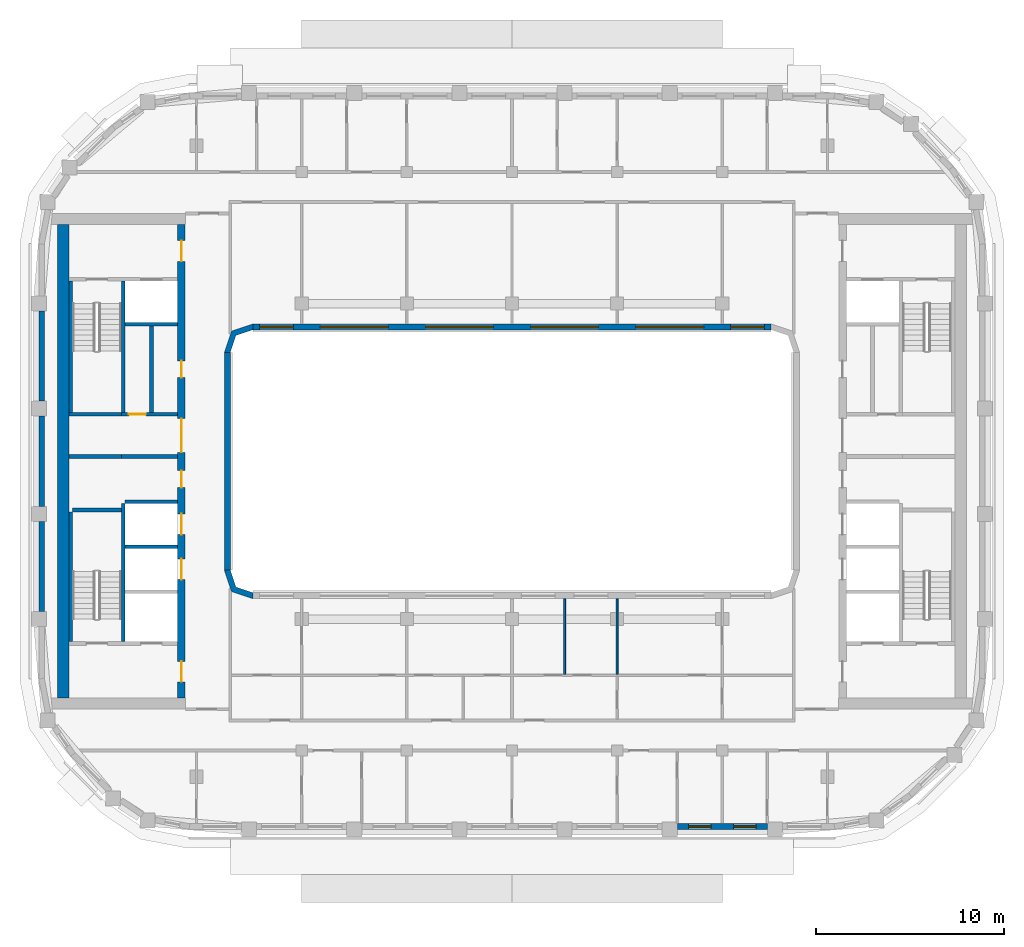
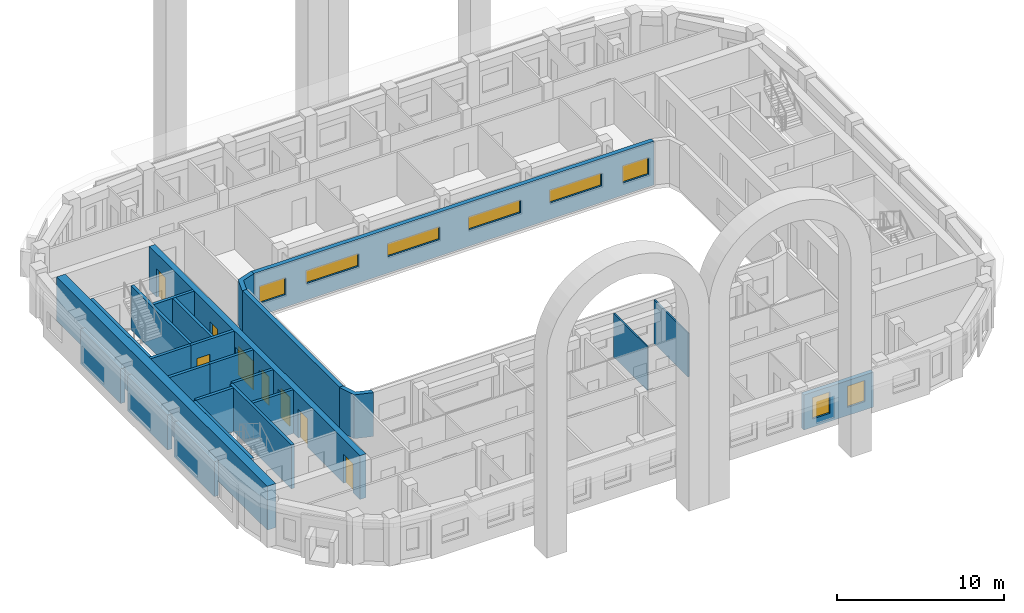
# One storey, part 4 of 18: 25 walls, 8 doors, 8 windows, 16 openings.
"""IFC4 building model written with IfcOpenShell, lengths in metres."""

import ifcopenshell
import ifcopenshell.guid

model = None  # the IFC model being written
_history = None  # IfcOwnerHistory: only IFC2X3 demands one
_inside = {}  # id of a spatial element -> (the spatial element, [elements in it])
_under = {}  # id of a project, library or spatial element -> (it, [spatial elements below it])
_declared = {}  # id of a project -> (the project, [libraries it declares])
_typed = {}  # id of a type object -> (the type object, [elements of that type])
_made_of = {}  # id of a material, layer set ... -> (it, [elements and type objects made of it])


def new_model(schema):
    """Start an empty IFC model of exactly this schema.

    Asked for "IFC4X3", IfcOpenShell would pick the latest addendum, in which some entities
    have other attributes; the version numbers below select the first issue.
    IFC2X3 requires an IfcOwnerHistory on every rooted entity: one is made here for all.
    """
    global model, _history
    if schema == "IFC4X3":
        model = ifcopenshell.file(schema_version=(4, 3, 0, 0))
    else:
        model = ifcopenshell.file(schema=schema)
    _inside.clear()
    _under.clear()
    _declared.clear()
    _typed.clear()
    _made_of.clear()
    _history = None
    if model.schema == "IFC2X3":
        org = make("IfcOrganization", Name="unknown")
        user = make(
            "IfcPersonAndOrganization",
            ThePerson=make("IfcPerson", FamilyName="unknown"),
            TheOrganization=org,
        )
        app = make(
            "IfcApplication",
            ApplicationDeveloper=org,
            Version="unknown",
            ApplicationFullName="unknown",
            ApplicationIdentifier="unknown",
        )
        _history = make(
            "IfcOwnerHistory",
            OwningUser=user,
            OwningApplication=app,
            ChangeAction="ADDED",
            CreationDate=0,
        )
    return model


def make(cls, **values):
    """One entity of the class cls with the attributes given. An attribute that is None is left unset."""
    return model.create_entity(
        cls, **{name: value for name, value in values.items() if value is not None}
    )


def rooted(cls, **values):
    """An entity with a GlobalId (a new one), such as an element, a storey or a relation."""
    return make(cls, GlobalId=ifcopenshell.guid.new(), OwnerHistory=_history, **values)


def si_unit(unit_type, name, prefix=None):
    """IfcSIUnit, for example si_unit("LENGTHUNIT", "METRE", prefix="MILLI")."""
    return make("IfcSIUnit", UnitType=unit_type, Prefix=prefix, Name=name)


def assignment(units):
    """IfcUnitAssignment: the units of a project."""
    return None if units is None else make("IfcUnitAssignment", Units=units)


def point(xyz):
    """IfcCartesianPoint."""
    return None if xyz is None else make("IfcCartesianPoint", Coordinates=xyz)


def direction(xyz):
    """IfcDirection."""
    return None if xyz is None else make("IfcDirection", DirectionRatios=xyz)


def frame(location, z_axis=None, x_axis=None):
    """IfcAxis2Placement3D, a coordinate frame: its origin and axes. An axis left out is left unset."""
    return make(
        "IfcAxis2Placement3D",
        Location=point(location),
        Axis=direction(z_axis),
        RefDirection=direction(x_axis),
    )


def frame_2d(location, x_axis=None):
    """IfcAxis2Placement2D, a coordinate frame in the plane: its origin and x axis."""
    return make(
        "IfcAxis2Placement2D", Location=point(location), RefDirection=direction(x_axis)
    )


def origin():
    """The frame at (0, 0, 0) with its axes left unset."""
    return frame((0.0, 0.0, 0.0))


def place(relative_to, where):
    """IfcLocalPlacement: puts the frame where relative to a parent placement (None: the world)."""
    return make(
        "IfcLocalPlacement", PlacementRelTo=relative_to, RelativePlacement=where
    )


def context(
    kind, dimensions, precision=None, world=None, true_north=None, identifier=None
):
    """IfcGeometricRepresentationContext, for example the 3D "Model" context."""
    return make(
        "IfcGeometricRepresentationContext",
        ContextIdentifier=identifier,
        ContextType=kind,
        CoordinateSpaceDimension=dimensions,
        Precision=precision,
        WorldCoordinateSystem=world,
        TrueNorth=true_north,
    )


def subcontext(parent, identifier, kind, view, scale=None):
    """IfcGeometricRepresentationSubContext, for example "Body" below "Model"."""
    return make(
        "IfcGeometricRepresentationSubContext",
        ContextIdentifier=identifier,
        ContextType=kind,
        ParentContext=parent,
        TargetScale=scale,
        TargetView=view,
    )


def project(units=None, contexts=None):
    """IfcProject with its units and contexts."""
    return rooted(
        "IfcProject",
        Name="project",
        RepresentationContexts=contexts,
        UnitsInContext=assignment(units),
    )


def spatial(cls, under=None, at=None, **own):
    """A site, building, storey or space (cls), placed at a placement, below another one or the project."""
    s = rooted(cls, ObjectPlacement=at, **own)
    if under is not None:
        _under.setdefault(under.id(), (under, []))[1].append(s)
    return s


def polyline(points):
    """IfcPolyline through the points."""
    return make("IfcPolyline", Points=[point(p) for p in points])


def profile(cls, at=None, kind="AREA", **sizes):
    """A parametric profile (cls). Its sizes go by their IFC names, for example OverallWidth=200.0."""
    return make(cls, ProfileType=kind, Position=at, **sizes)


def rectangle(**sizes):
    """IfcRectangleProfileDef."""
    return profile("IfcRectangleProfileDef", **sizes)


def outline(outer, holes=None, kind="AREA"):
    """IfcArbitraryClosedProfileDef: a profile drawn as a closed curve; with holes, ...WithVoids."""
    if holes is None:
        return make("IfcArbitraryClosedProfileDef", ProfileType=kind, OuterCurve=outer)
    return make(
        "IfcArbitraryProfileDefWithVoids",
        ProfileType=kind,
        OuterCurve=outer,
        InnerCurves=holes,
    )


def extrude(swept, where, along, depth):
    """IfcExtrudedAreaSolid: the profile swept, set in the frame where, extruded along a direction by depth."""
    return make(
        "IfcExtrudedAreaSolid",
        SweptArea=swept,
        Position=where,
        ExtrudedDirection=direction(along),
        Depth=depth,
    )


def shape(context_of_items, identifier, shape_type, items):
    """IfcShapeRepresentation: the items that make up one representation, for example the "Body"."""
    return make(
        "IfcShapeRepresentation",
        ContextOfItems=context_of_items,
        RepresentationIdentifier=identifier,
        RepresentationType=shape_type,
        Items=items,
    )


def material(Name=None, Category=None):
    """IfcMaterial."""
    return make("IfcMaterial", Name=Name, Category=Category)


def layer(
    of_material, thickness, ventilated=None, Name=None, Category=None, Priority=None
):
    """IfcMaterialLayer: one layer of a wall or slab, of a material (None: an air gap)."""
    return make(
        "IfcMaterialLayer",
        Material=of_material,
        LayerThickness=thickness,
        IsVentilated=ventilated,
        Name=Name,
        Category=Category,
        Priority=Priority,
    )


def layer_set(layers, Name=None):
    """IfcMaterialLayerSet."""
    return make("IfcMaterialLayerSet", MaterialLayers=layers, LayerSetName=Name)


def made_of(thing, what):
    """Note that an element or type object is made of a material, layer set ...; save() writes the relation."""
    if what is not None:
        _made_of.setdefault(what.id(), (what, []))[1].append(thing)
    return thing


def type_object(cls, material=None, **own):
    """A type object (cls), such as IfcWallType, which elements share."""
    return made_of(rooted(cls, **own), material)


def element(
    cls,
    number,
    at=None,
    inside=None,
    cuts=None,
    type_object=None,
    material=None,
    context=None,
    identifier="Body",
    shape_type=None,
    held_by="IfcProductDefinitionShape",
    body=None,
    shapes=None,
    **own,
):
    """One element of the class cls, such as IfcWall. Its Tag is "e" and its number.

    at: its placement. inside: the storey or other place that contains it. cuts: it is an
    opening in that element (IfcRelVoidsElement). A single representation is given by context,
    identifier, shape_type and body (its items); several are given by shapes. held_by: the class
    of the entity that holds the representations. save() writes the other relations.
    """
    e = rooted(cls, Tag="e%d" % number, ObjectPlacement=at, **own)
    if body is not None:
        shapes = [shape(context, identifier, shape_type, body)]
    if shapes is not None:
        e.Representation = make(held_by, Representations=shapes)
    if inside is not None:
        _inside.setdefault(inside.id(), (inside, []))[1].append(e)
    if cuts is not None:
        rooted(
            "IfcRelVoidsElement", RelatingBuildingElement=cuts, RelatedOpeningElement=e
        )
    if type_object is not None:
        _typed.setdefault(type_object.id(), (type_object, []))[1].append(e)
    return made_of(e, material)


def fill(opening, filler):
    """IfcRelFillsElement: the door or window that sits in an opening."""
    return rooted(
        "IfcRelFillsElement",
        RelatingOpeningElement=opening,
        RelatedBuildingElement=filler,
    )


def aggregate(whole, parts):
    """IfcRelAggregates: a whole, such as a stair, and the parts it consists of."""
    return rooted("IfcRelAggregates", RelatingObject=whole, RelatedObjects=parts)


def save(model, path):
    """Write the relations noted so far, then the file.

    IfcRelAggregates (storeys below a building ...), IfcRelContainedInSpatialStructure (elements
    in a storey), IfcRelDefinesByType, IfcRelAssociatesMaterial and IfcRelDeclares: one each for
    every whole, place, type object, material and project.
    """
    for whole, parts in _under.values():
        aggregate(whole, parts)
    for where, things in _inside.values():
        rooted(
            "IfcRelContainedInSpatialStructure",
            RelatedElements=things,
            RelatingStructure=where,
        )
    for kind, things in _typed.values():
        rooted("IfcRelDefinesByType", RelatedObjects=things, RelatingType=kind)
    for what, things in _made_of.values():
        rooted("IfcRelAssociatesMaterial", RelatedObjects=things, RelatingMaterial=what)
    for by, libraries in _declared.values():
        rooted("IfcRelDeclares", RelatingContext=by, RelatedDefinitions=libraries)
    model.write(path)


model = new_model("IFC4")

# Units and contexts
model_context = context("Model", 3, precision=1e-05, world=origin(), true_north=direction((0.0, 1.0)))
body_context = subcontext(model_context, "Body", "Model", "MODEL_VIEW")
ifc_project = project(units=[si_unit("LENGTHUNIT", "METRE"), si_unit("AREAUNIT", "SQUARE_METRE"), si_unit("VOLUMEUNIT", "CUBIC_METRE"), si_unit("PLANEANGLEUNIT", "RADIAN"), si_unit("MASSUNIT", "GRAM", prefix="KILO")], contexts=[model_context])

# Site, building, storey
site_placement = place(None, origin())
site = spatial("IfcSite", under=ifc_project, at=site_placement, CompositionType="ELEMENT")
building_placement = place(site_placement, origin())
building = spatial("IfcBuilding", under=site, at=building_placement, Name="Kiln Ring Residences", CompositionType="ELEMENT")
storey_placement = place(building_placement, frame((0.0, 0.0, 262.699951171875)))
storey = spatial("IfcBuildingStorey", under=building, at=storey_placement, Name="L68", CompositionType="ELEMENT", Elevation=262.699951171875)

# Walls
ifc_material_1 = material(Name="Gypsum board on steel studs", Category="steel")
ifc_layer_1 = layer(ifc_material_1, 0.199951171875)
ifc_layer_set_1 = layer_set([ifc_layer_1], Name="CORE-PARTITION-200")
wall_type_1 = type_object("IfcWallType", Name="CORE-PARTITION-200", PredefinedType="PARTITIONING", material=ifc_layer_set_1)
wall_1_placement = place(storey_placement, frame((-20.800048828125, 0.25, 0.0), z_axis=(0.0, 0.0, 1.0), x_axis=(-1.0, 0.0, 0.0)))
element("IfcWall", 1, at=wall_1_placement, inside=storey, type_object=wall_type_1, Name="Core partition west L68 1", PredefinedType="PARTITIONING", context=body_context, shape_type="SweptSolid", body=[
    extrude(rectangle(XDim=2.800048828125, YDim=0.199951171875, at=frame_2d((1.39990234375, 0.0))), origin(), (0.0, 0.0, 1.0), 3.199951171875),
])
wall_2_placement = place(storey_placement, frame((-19.199951171875, 2.60009765625, 0.0), z_axis=(0.0, 0.0, 1.0), x_axis=(0.0, 1.0, 0.0)))
element("IfcWall", 2, at=wall_2_placement, inside=storey, type_object=wall_type_1, Name="Core partition west L68 2", PredefinedType="PARTITIONING", context=body_context, shape_type="SweptSolid", body=[
    extrude(rectangle(XDim=4.599853515625, YDim=0.199951171875, at=frame_2d((2.2998046875, 0.0))), origin(), (0.0, 0.0, 1.0), 3.199951171875),
])
ifc_material_2 = material(Name="Gypsum shaft wall system")
ifc_layer_2 = layer(ifc_material_2, 0.199951171875)
ifc_layer_set_2 = layer_set([ifc_layer_2], Name="CORE-SHAFT-WALL-200")
wall_type_2 = type_object("IfcWallType", Name="CORE-SHAFT-WALL-200", PredefinedType="PARTITIONING", material=ifc_layer_set_2)
for number, where, z_axis, x_axis, name in (
    (3, (-17.800048828125, -4.550048828125, 0.0), (0.0, 0.0, 1.0), (-1.0, 0.0, 0.0), "Core partition west L68 4"),
    (4, (-17.800048828125, -2.14990234375, 0.0), (0.0, 0.0, 1.0), (-1.0, 0.0, 0.0), "Core partition west L68 5"),
):
    element("IfcWall", number, at=place(storey_placement, frame(where, z_axis=z_axis, x_axis=x_axis)), inside=storey, type_object=wall_type_2, Name=name, PredefinedType="PARTITIONING", context=body_context, shape_type="SweptSolid", body=[
        extrude(rectangle(XDim=2.800048828125, YDim=0.199951171875, at=frame_2d((1.39990234375, 0.0))), origin(), (0.0, 0.0, 1.0), 3.199951171875),
    ])
wall_3_placement = place(storey_placement, frame((-17.800048828125, 0.25, 0.0), z_axis=(0.0, 0.0, 1.0), x_axis=(-1.0, 0.0, 0.0)))
element("IfcWall", 5, at=wall_3_placement, inside=storey, type_object=wall_type_2, Name="Core partition west L68 6", PredefinedType="PARTITIONING", context=body_context, shape_type="SweptSolid", body=[
    extrude(rectangle(XDim=3.0, YDim=0.199951171875, at=frame_2d((1.5, 0.0))), origin(), (0.0, 0.0, 1.0), 3.199951171875),
])

# Wall, opening, door
wall_4_placement = place(storey_placement, frame((-17.800048828125, 2.5, 0.0), z_axis=(0.0, 0.0, 1.0), x_axis=(-1.0, 0.0, 0.0)))
wall_4 = element("IfcWall", 6, at=wall_4_placement, inside=storey, type_object=wall_type_2, Name="Core partition west L68 7", PredefinedType="PARTITIONING", context=body_context, shape_type="SweptSolid", body=[
    extrude(rectangle(XDim=3.0, YDim=0.199951171875, at=frame_2d((1.5, 0.0))), origin(), (0.0, 0.0, 1.0), 3.199951171875),
])
opening_1_placement = place(wall_4_placement, frame((1.699951171875, 0.0, 0.0)))
opening_1 = element("IfcOpeningElement", 7, at=opening_1_placement, cuts=wall_4, Name="Opening L68-CW06", PredefinedType="OPENING", context=body_context, shape_type="SweptSolid", body=[
    extrude(rectangle(XDim=0.89990234375, YDim=2.10009765625, at=frame_2d((0.449951171875, 1.050048828125))), frame((0.0, 0.10986328125, 0.0), z_axis=(0.0, -1.0, 0.0), x_axis=(1.0, 0.0, 0.0)), (0.0, 0.0, 1.0), 0.219970703125),
])
ifc_material_3 = material(Name="Steel door leaf", Category="steel")
door_type_1 = type_object("IfcDoorType", Name="CORE-DOOR-ROOM", OperationType="SINGLE_SWING_LEFT", PredefinedType="DOOR", material=ifc_material_3)
door_1_placement = place(opening_1_placement, origin())
door_1 = element("IfcDoor", 8, at=door_1_placement, inside=storey, type_object=door_type_1, Name="Service store L68-CW06", OperationType="SINGLE_SWING_LEFT", OverallHeight=2.10009765625, OverallWidth=0.89990234375, PredefinedType="DOOR", context=body_context, shape_type="SweptSolid", body=[
    extrude(rectangle(XDim=0.89990234375, YDim=2.10009765625, at=frame_2d((0.449951171875, 1.050048828125))), frame((0.0, 0.02490234375, 0.0), z_axis=(0.0, -1.0, 0.0), x_axis=(1.0, 0.0, 0.0)), (0.0, 0.0, 1.0), 0.050048828125),
])
fill(opening_1, door_1)

# Walls
wall_5_placement = place(storey_placement, frame((-17.800048828125, 7.300048828125, 0.0), z_axis=(0.0, 0.0, 1.0), x_axis=(-1.0, 0.0, 0.0)))
element("IfcWall", 9, at=wall_5_placement, inside=storey, type_object=wall_type_2, Name="Core partition west L68 8", PredefinedType="PARTITIONING", context=body_context, shape_type="SweptSolid", body=[
    extrude(rectangle(XDim=2.800048828125, YDim=0.199951171875, at=frame_2d((1.39990234375, 0.0))), origin(), (0.0, 0.0, 1.0), 3.199951171875),
])
ifc_material_4 = material(Name="Concrete C40/50", Category="concrete")
ifc_layer_3 = layer(ifc_material_4, 0.199951171875)
ifc_layer_set_3 = layer_set([ifc_layer_3], Name="CORE-WALL-RC200")
wall_type_3 = type_object("IfcWallType", Name="CORE-WALL-RC200", PredefinedType="SHEAR", material=ifc_layer_set_3)
wall_6_placement = place(storey_placement, frame((-20.699951171875, 2.60009765625, 0.0), z_axis=(0.0, 0.0, 1.0), x_axis=(0.0, 1.0, 0.0)))
element("IfcWall", 10, at=wall_6_placement, inside=storey, type_object=wall_type_3, Name="Core wall west L68 1", PredefinedType="SHEAR", context=body_context, shape_type="SweptSolid", body=[
    extrude(rectangle(XDim=7.0, YDim=0.199951171875, at=frame_2d((3.5, 0.0))), origin(), (0.0, 0.0, 1.0), 3.199951171875),
])
wall_7_placement = place(storey_placement, frame((-20.699951171875, -9.60009765625, 0.0), z_axis=(0.0, 0.0, 1.0), x_axis=(0.0, 1.0, 0.0)))
element("IfcWall", 11, at=wall_7_placement, inside=storey, type_object=wall_type_3, Name="Core wall west L68 2", PredefinedType="SHEAR", context=body_context, shape_type="SweptSolid", body=[
    extrude(rectangle(XDim=7.35009765625, YDim=0.199951171875, at=frame_2d((3.675048828125, 0.0))), origin(), (0.0, 0.0, 1.0), 3.199951171875),
])
wall_8_placement = place(storey_placement, frame((-20.800048828125, 2.5, 0.0), z_axis=(0.0, 0.0, 1.0), x_axis=(-1.0, 0.0, 0.0)))
element("IfcWall", 12, at=wall_8_placement, inside=storey, type_object=wall_type_3, Name="Core wall west L68 3", PredefinedType="SHEAR", context=body_context, shape_type="SweptSolid", body=[
    extrude(rectangle(XDim=2.800048828125, YDim=0.199951171875, at=frame_2d((1.39990234375, 0.0))), origin(), (0.0, 0.0, 1.0), 3.199951171875),
])
wall_9_placement = place(storey_placement, frame((-23.5, 2.60009765625, 0.0), z_axis=(0.0, 0.0, 1.0), x_axis=(0.0, 1.0, 0.0)))
element("IfcWall", 13, at=wall_9_placement, inside=storey, type_object=wall_type_3, Name="Core wall west L68 10", PredefinedType="SHEAR", context=body_context, shape_type="SweptSolid", body=[
    extrude(rectangle(XDim=7.0, YDim=0.199951171875, at=frame_2d((3.5, 0.0))), origin(), (0.0, 0.0, 1.0), 3.199951171875),
])
wall_10_placement = place(storey_placement, frame((-23.5, -9.60009765625, 0.0), z_axis=(0.0, 0.0, 1.0), x_axis=(0.0, 1.0, 0.0)))
element("IfcWall", 14, at=wall_10_placement, inside=storey, type_object=wall_type_3, Name="Core wall west L68 11", PredefinedType="SHEAR", context=body_context, shape_type="SweptSolid", body=[
    extrude(rectangle(XDim=6.900146484375, YDim=0.199951171875, at=frame_2d((3.4501953125, 0.0))), origin(), (0.0, 0.0, 1.0), 3.199951171875),
])
wall_11_placement = place(storey_placement, frame((-20.800048828125, -2.60009765625, 0.0), z_axis=(0.0, 0.0, 1.0), x_axis=(-1.0, 0.0, 0.0)))
element("IfcWall", 15, at=wall_11_placement, inside=storey, type_object=wall_type_3, Name="Core wall west L68 12", PredefinedType="SHEAR", context=body_context, shape_type="SweptSolid", body=[
    extrude(rectangle(XDim=2.599853515625, YDim=0.199951171875, at=frame_2d((1.2998046875, 0.0))), origin(), (0.0, 0.0, 1.0), 3.199951171875),
])

# Wall, openings, doors
ifc_material_5 = material(Name="Concrete C60/75", Category="concrete")
ifc_layer_4 = layer(ifc_material_5, 0.39990234375)
ifc_layer_set_4 = layer_set([ifc_layer_4], Name="CORE-WALL-RC400")
wall_type_4 = type_object("IfcWallType", Name="CORE-WALL-RC400", PredefinedType="SHEAR", material=ifc_layer_set_4)
wall_12_placement = place(storey_placement, frame((-17.60009765625, -12.60009765625, 0.0), z_axis=(0.0, 0.0, 1.0), x_axis=(0.0, 1.0, 0.0)))
wall_12 = element("IfcWall", 16, at=wall_12_placement, inside=storey, type_object=wall_type_4, Name="Core wall west L68 6", PredefinedType="SHEAR", context=body_context, shape_type="SweptSolid", body=[
    extrude(rectangle(XDim=25.2001953125, YDim=0.39990234375, at=frame_2d((12.60009765625, 0.0))), origin(), (0.0, 0.0, 1.0), 3.199951171875),
])
opening_2_placement = place(wall_12_placement, frame((6.300048828125, 0.0, 0.0)))
opening_2 = element("IfcOpeningElement", 17, at=opening_2_placement, cuts=wall_12, Name="Opening L68-CW02", PredefinedType="OPENING", context=body_context, shape_type="SweptSolid", body=[
    extrude(rectangle(XDim=1.10009765625, YDim=2.10009765625, at=frame_2d((0.550048828125, 1.050048828125))), frame((0.0, 0.2099609375, 0.0), z_axis=(0.0, -1.0, 0.0), x_axis=(1.0, 0.0, 0.0)), (0.0, 0.0, 1.0), 0.419921875),
])
opening_3_placement = place(wall_12_placement, frame((8.699951171875, 0.0, 0.0)))
opening_3 = element("IfcOpeningElement", 18, at=opening_3_placement, cuts=wall_12, Name="Opening L68-CW03", PredefinedType="OPENING", context=body_context, shape_type="SweptSolid", body=[
    extrude(rectangle(XDim=1.10009765625, YDim=2.10009765625, at=frame_2d((0.550048828125, 1.050048828125))), frame((0.0, 0.2099609375, 0.0), z_axis=(0.0, -1.0, 0.0), x_axis=(1.0, 0.0, 0.0)), (0.0, 0.0, 1.0), 0.419921875),
])
opening_4_placement = place(wall_12_placement, frame((11.199951171875, 0.0, 0.0)))
opening_4 = element("IfcOpeningElement", 19, at=opening_4_placement, cuts=wall_12, Name="Opening L68-CW04", PredefinedType="OPENING", context=body_context, shape_type="SweptSolid", body=[
    extrude(rectangle(XDim=0.89990234375, YDim=2.10009765625, at=frame_2d((0.449951171875, 1.050048828125))), frame((0.0, 0.2099609375, 0.0), z_axis=(0.0, -1.0, 0.0), x_axis=(1.0, 0.0, 0.0)), (0.0, 0.0, 1.0), 0.419921875),
])
opening_5_placement = place(wall_12_placement, frame((17.050048828125, 0.0, 0.0)))
opening_5 = element("IfcOpeningElement", 20, at=opening_5_placement, cuts=wall_12, Name="Opening L68-CW05", PredefinedType="OPENING", context=body_context, shape_type="SweptSolid", body=[
    extrude(rectangle(XDim=0.89990234375, YDim=2.10009765625, at=frame_2d((0.449951171875, 1.050048828125))), frame((0.0, 0.2099609375, 0.0), z_axis=(0.0, -1.0, 0.0), x_axis=(1.0, 0.0, 0.0)), (0.0, 0.0, 1.0), 0.419921875),
])
opening_6_placement = place(wall_12_placement, frame((23.25, 0.0, 0.0)))
opening_6 = element("IfcOpeningElement", 21, at=opening_6_placement, cuts=wall_12, Name="Opening L68-CW08", PredefinedType="OPENING", context=body_context, shape_type="SweptSolid", body=[
    extrude(rectangle(XDim=1.10009765625, YDim=2.10009765625, at=frame_2d((0.550048828125, 1.050048828125))), frame((0.0, 0.2099609375, 0.0), z_axis=(0.0, -1.0, 0.0), x_axis=(1.0, 0.0, 0.0)), (0.0, 0.0, 1.0), 0.419921875),
])
opening_7_placement = place(wall_12_placement, frame((0.85009765625, 0.0, 0.0)))
opening_7 = element("IfcOpeningElement", 22, at=opening_7_placement, cuts=wall_12, Name="Opening L68-CW09", PredefinedType="OPENING", context=body_context, shape_type="SweptSolid", body=[
    extrude(rectangle(XDim=1.10009765625, YDim=2.10009765625, at=frame_2d((0.550048828125, 1.050048828125))), frame((0.0, 0.2099609375, 0.0), z_axis=(0.0, -1.0, 0.0), x_axis=(1.0, 0.0, 0.0)), (0.0, 0.0, 1.0), 0.419921875),
])
opening_8_placement = place(wall_12_placement, frame((13.074951171875, 0.0, 0.0)))
opening_8 = element("IfcOpeningElement", 23, at=opening_8_placement, cuts=wall_12, Name="Opening L68-CW12", PredefinedType="OPENING", context=body_context, shape_type="SweptSolid", body=[
    extrude(rectangle(XDim=1.800048828125, YDim=2.10009765625, at=frame_2d((0.89990234375, 1.050048828125))), frame((0.0, 0.2099609375, 0.0), z_axis=(0.0, -1.0, 0.0), x_axis=(1.0, 0.0, 0.0)), (0.0, 0.0, 1.0), 0.419921875),
])
ifc_material_6 = material(Name="Steel door leaf", Category="steel")
door_type_2 = type_object("IfcDoorType", Name="CORE-DOOR-LD", OperationType="DOUBLE_DOOR_SLIDING", PredefinedType="DOOR", material=ifc_material_6)
door_2_placement = place(opening_2_placement, origin())
door_2 = element("IfcDoor", 24, at=door_2_placement, inside=storey, type_object=door_type_2, Name="LD W-H1 L68-CW02", OperationType="DOUBLE_DOOR_SLIDING", OverallHeight=2.10009765625, OverallWidth=1.10009765625, PredefinedType="DOOR", context=body_context, shape_type="SweptSolid", body=[
    extrude(rectangle(XDim=1.10009765625, YDim=2.10009765625, at=frame_2d((0.550048828125, 1.050048828125))), frame((0.0, 0.02490234375, 0.0), z_axis=(0.0, -1.0, 0.0), x_axis=(1.0, 0.0, 0.0)), (0.0, 0.0, 1.0), 0.050048828125),
])
fill(opening_2, door_2)
door_3_placement = place(opening_3_placement, origin())
door_3 = element("IfcDoor", 25, at=door_3_placement, inside=storey, type_object=door_type_2, Name="LD W-H2 L68-CW03", OperationType="DOUBLE_DOOR_SLIDING", OverallHeight=2.10009765625, OverallWidth=1.10009765625, PredefinedType="DOOR", context=body_context, shape_type="SweptSolid", body=[
    extrude(rectangle(XDim=1.10009765625, YDim=2.10009765625, at=frame_2d((0.550048828125, 1.050048828125))), frame((0.0, 0.02490234375, 0.0), z_axis=(0.0, -1.0, 0.0), x_axis=(1.0, 0.0, 0.0)), (0.0, 0.0, 1.0), 0.050048828125),
])
fill(opening_3, door_3)
ifc_material_7 = material(Name="Steel door leaf", Category="steel")
door_type_3 = type_object("IfcDoorType", Name="CORE-DOOR-LOBBY", OperationType="SINGLE_SWING_LEFT", PredefinedType="DOOR", material=ifc_material_7)
door_4_placement = place(opening_6_placement, origin())
door_4 = element("IfcDoor", 26, at=door_4_placement, inside=storey, type_object=door_type_3, Name="FFL L68-CW08", OperationType="SINGLE_SWING_LEFT", OverallHeight=2.10009765625, OverallWidth=1.10009765625, PredefinedType="DOOR", context=body_context, shape_type="SweptSolid", body=[
    extrude(rectangle(XDim=1.10009765625, YDim=2.10009765625, at=frame_2d((0.550048828125, 1.050048828125))), frame((0.0, 0.02490234375, 0.0), z_axis=(0.0, -1.0, 0.0), x_axis=(1.0, 0.0, 0.0)), (0.0, 0.0, 1.0), 0.050048828125),
])
fill(opening_6, door_4)
door_5_placement = place(opening_7_placement, origin())
door_5 = element("IfcDoor", 27, at=door_5_placement, inside=storey, type_object=door_type_3, Name="SVL L68-CW09", OperationType="SINGLE_SWING_RIGHT", OverallHeight=2.10009765625, OverallWidth=1.10009765625, PredefinedType="DOOR", context=body_context, shape_type="SweptSolid", body=[
    extrude(rectangle(XDim=1.10009765625, YDim=2.10009765625, at=frame_2d((0.550048828125, 1.050048828125))), frame((0.0, 0.02490234375, 0.0), z_axis=(0.0, -1.0, 0.0), x_axis=(1.0, 0.0, 0.0)), (0.0, 0.0, 1.0), 0.050048828125),
])
fill(opening_7, door_5)
ifc_material_8 = material(Name="Steel door leaf", Category="steel")
door_type_4 = type_object("IfcDoorType", Name="CORE-DOOR-PASS", OperationType="DOUBLE_DOOR_SINGLE_SWING", PredefinedType="DOOR", material=ifc_material_8)
door_6_placement = place(opening_8_placement, origin())
door_6 = element("IfcDoor", 28, at=door_6_placement, inside=storey, type_object=door_type_4, Name="Core passage L68-CW12", OperationType="DOUBLE_DOOR_SINGLE_SWING", OverallHeight=2.10009765625, OverallWidth=1.800048828125, PredefinedType="DOOR", context=body_context, shape_type="SweptSolid", body=[
    extrude(rectangle(XDim=1.800048828125, YDim=2.10009765625, at=frame_2d((0.89990234375, 1.050048828125))), frame((0.0, 0.02490234375, 0.0), z_axis=(0.0, -1.0, 0.0), x_axis=(1.0, 0.0, 0.0)), (0.0, 0.0, 1.0), 0.050048828125),
])
fill(opening_8, door_6)
door_7_placement = place(opening_4_placement, origin())
door_7 = element("IfcDoor", 29, at=door_7_placement, inside=storey, type_object=door_type_1, Name="Recycling store L68-CW04", OperationType="SINGLE_SWING_RIGHT", OverallHeight=2.10009765625, OverallWidth=0.89990234375, PredefinedType="DOOR", context=body_context, shape_type="SweptSolid", body=[
    extrude(rectangle(XDim=0.89990234375, YDim=2.10009765625, at=frame_2d((0.449951171875, 1.050048828125))), frame((0.0, 0.02490234375, 0.0), z_axis=(0.0, -1.0, 0.0), x_axis=(1.0, 0.0, 0.0)), (0.0, 0.0, 1.0), 0.050048828125),
])
fill(opening_4, door_7)
door_8_placement = place(opening_5_placement, origin())
door_8 = element("IfcDoor", 30, at=door_8_placement, inside=storey, type_object=door_type_1, Name="Linen store L68-CW05", OperationType="SINGLE_SWING_LEFT", OverallHeight=2.10009765625, OverallWidth=0.89990234375, PredefinedType="DOOR", context=body_context, shape_type="SweptSolid", body=[
    extrude(rectangle(XDim=0.89990234375, YDim=2.10009765625, at=frame_2d((0.449951171875, 1.050048828125))), frame((0.0, 0.02490234375, 0.0), z_axis=(0.0, -1.0, 0.0), x_axis=(1.0, 0.0, 0.0)), (0.0, 0.0, 1.0), 0.050048828125),
])
fill(opening_5, door_8)

# Wall
ifc_material_9 = material(Name="Concrete C60/75", Category="concrete")
ifc_layer_5 = layer(ifc_material_9, 0.60009765625)
ifc_layer_set_5 = layer_set([ifc_layer_5], Name="CORE-WALL-RC600")
wall_type_5 = type_object("IfcWallType", Name="CORE-WALL-RC600", PredefinedType="SHEAR", material=ifc_layer_set_5)
wall_13_placement = place(storey_placement, frame((-23.89990234375, -12.60009765625, 0.0), z_axis=(0.0, 0.0, 1.0), x_axis=(0.0, 1.0, 0.0)))
element("IfcWall", 31, at=wall_13_placement, inside=storey, type_object=wall_type_5, Name="Core wall west L68 7", PredefinedType="SHEAR", context=body_context, shape_type="SweptSolid", body=[
    extrude(rectangle(XDim=25.2001953125, YDim=0.60009765625, at=frame_2d((12.60009765625, 0.0))), origin(), (0.0, 0.0, 1.0), 3.199951171875),
])

# Wall, openings, windows
ifc_material_10 = material(Name="Brick masonry, dark clay brick", Category="masonry")
ifc_layer_6 = layer(ifc_material_10, 0.300048828125)
ifc_layer_set_6 = layer_set([ifc_layer_6], Name="EW-300 BRICK WALL")
wall_type_6 = type_object("IfcWallType", Name="EW-300 BRICK WALL", PredefinedType="SOLIDWALL", material=ifc_layer_set_6)
wall_14_placement = place(storey_placement, frame((8.800048828125, -19.449951171875, 0.0), z_axis=(0.0, 0.0, 1.0), x_axis=(1.0, 0.0, 0.0)))
wall_14 = element("IfcWall", 32, at=wall_14_placement, inside=storey, type_object=wall_type_6, Name="Facade wall L68 9", PredefinedType="SOLIDWALL", context=body_context, shape_type="SweptSolid", body=[
    extrude(rectangle(XDim=4.800048828125, YDim=0.300048828125, at=frame_2d((2.39990234375, 0.0))), origin(), (0.0, 0.0, 1.0), 2.550048828125),
])
opening_9_placement = place(wall_14_placement, frame((0.60009765625, 0.0, 0.60009765625)))
opening_9 = element("IfcOpeningElement", 33, at=opening_9_placement, cuts=wall_14, Name="Opening W1", PredefinedType="OPENING", context=body_context, shape_type="SweptSolid", body=[
    extrude(rectangle(XDim=1.199951171875, YDim=1.550048828125, at=frame_2d((0.60009765625, 0.77490234375))), frame((0.0, 0.159912109375, 0.0), z_axis=(0.0, -1.0, 0.0), x_axis=(1.0, 0.0, 0.0)), (0.0, 0.0, 1.0), 0.320068359375),
])
opening_10_placement = place(wall_14_placement, frame((3.0, 0.0, 0.60009765625)))
opening_10 = element("IfcOpeningElement", 34, at=opening_10_placement, cuts=wall_14, Name="Opening W1", PredefinedType="OPENING", context=body_context, shape_type="SweptSolid", body=[
    extrude(rectangle(XDim=1.199951171875, YDim=1.550048828125, at=frame_2d((0.60009765625, 0.77490234375))), frame((0.0, 0.159912109375, 0.0), z_axis=(0.0, -1.0, 0.0), x_axis=(1.0, 0.0, 0.0)), (0.0, 0.0, 1.0), 0.320068359375),
])
ifc_material_11 = material(Name="Aluminium frame with double glazing", Category="aluminium")
window_type_1 = type_object("IfcWindowType", Name="WINDOW 1200 x 1550", PartitioningType="SINGLE_PANEL", PredefinedType="WINDOW", material=ifc_material_11)
window_1_placement = place(opening_9_placement, origin())
window_1 = element("IfcWindow", 35, at=window_1_placement, inside=storey, type_object=window_type_1, Name="Window L68 12", OverallHeight=1.550048828125, OverallWidth=1.199951171875, PartitioningType="SINGLE_PANEL", PredefinedType="WINDOW", context=body_context, shape_type="SweptSolid", body=[
    extrude(rectangle(XDim=1.199951171875, YDim=1.550048828125, at=frame_2d((0.60009765625, 0.77490234375))), frame((0.0, 0.030029296875, 0.0), z_axis=(0.0, -1.0, 0.0), x_axis=(1.0, 0.0, 0.0)), (0.0, 0.0, 1.0), 0.06005859375),
])
fill(opening_9, window_1)
window_2_placement = place(opening_10_placement, origin())
window_2 = element("IfcWindow", 36, at=window_2_placement, inside=storey, type_object=window_type_1, Name="Window L68 13", OverallHeight=1.550048828125, OverallWidth=1.199951171875, PartitioningType="SINGLE_PANEL", PredefinedType="WINDOW", context=body_context, shape_type="SweptSolid", body=[
    extrude(rectangle(XDim=1.199951171875, YDim=1.550048828125, at=frame_2d((0.60009765625, 0.77490234375))), frame((0.0, 0.030029296875, 0.0), z_axis=(0.0, -1.0, 0.0), x_axis=(1.0, 0.0, 0.0)), (0.0, 0.0, 1.0), 0.06005859375),
])
fill(opening_10, window_2)

# Walls
wall_15_placement = place(storey_placement, frame((-25.050048828125, 8.0, 0.0), z_axis=(0.0, 0.0, 1.0), x_axis=(0.0, -1.0, 0.0)))
element("IfcWall", 37, at=wall_15_placement, inside=storey, type_object=wall_type_6, Name="Facade wall L68 39", PredefinedType="SOLIDWALL", context=body_context, shape_type="SweptSolid", body=[
    extrude(rectangle(XDim=4.800048828125, YDim=0.300048828125, at=frame_2d((2.39990234375, 0.0))), origin(), (0.0, 0.0, 1.0), 2.550048828125),
])
wall_16_placement = place(storey_placement, frame((-25.050048828125, 2.39990234375, 0.0), z_axis=(0.0, 0.0, 1.0), x_axis=(0.0, -1.0, 0.0)))
element("IfcWall", 38, at=wall_16_placement, inside=storey, type_object=wall_type_6, Name="Facade wall L68 40", PredefinedType="SOLIDWALL", context=body_context, shape_type="SweptSolid", body=[
    extrude(rectangle(XDim=4.7998046875, YDim=0.300048828125, at=frame_2d((2.39990234375, 0.0))), origin(), (0.0, 0.0, 1.0), 2.550048828125),
])
wall_17_placement = place(storey_placement, frame((-25.050048828125, -3.199951171875, 0.0), z_axis=(0.0, 0.0, 1.0), x_axis=(0.0, -1.0, 0.0)))
element("IfcWall", 39, at=wall_17_placement, inside=storey, type_object=wall_type_6, Name="Facade wall L68 41", PredefinedType="SOLIDWALL", context=body_context, shape_type="SweptSolid", body=[
    extrude(rectangle(XDim=4.800048828125, YDim=0.300048828125, at=frame_2d((2.39990234375, 0.0))), origin(), (0.0, 0.0, 1.0), 2.550048828125),
])
wall_18_placement = place(storey_placement, frame((-15.14990234375, -5.800048828125, 0.0), z_axis=(0.0, 0.0, 1.0), x_axis=(0.0, 1.0, 0.0)))
element("IfcWall", 40, at=wall_18_placement, inside=storey, type_object=wall_type_6, Name="Facade wall L68 45", PredefinedType="SOLIDWALL", context=body_context, shape_type="SweptSolid", body=[
    extrude(rectangle(XDim=11.60009765625, YDim=0.300048828125, at=frame_2d((5.800048828125, 0.0))), origin(), (0.0, 0.0, 1.0), 3.199951171875),
])

# Wall, openings, windows
wall_19_placement = place(storey_placement, frame((-13.800048828125, 7.14990234375, 0.0), z_axis=(0.0, 0.0, 1.0), x_axis=(1.0, 0.0, 0.0)))
wall_19 = element("IfcWall", 41, at=wall_19_placement, inside=storey, type_object=wall_type_6, Name="Facade wall L68 46", PredefinedType="SOLIDWALL", context=body_context, shape_type="SweptSolid", body=[
    extrude(rectangle(XDim=27.60009765625, YDim=0.300048828125, at=frame_2d((13.800048828125, 0.0))), origin(), (0.0, 0.0, 1.0), 3.199951171875),
])
opening_11_placement = place(wall_19_placement, frame((0.362548828125, 0.0, 0.89990234375)))
opening_11 = element("IfcOpeningElement", 42, at=opening_11_placement, cuts=wall_19, Name="Opening W2", PredefinedType="OPENING", context=body_context, shape_type="SweptSolid", body=[
    extrude(rectangle(XDim=1.800048828125, YDim=1.25, at=frame_2d((0.89990234375, 0.625))), frame((0.0, 0.159912109375, 0.0), z_axis=(0.0, -1.0, 0.0), x_axis=(1.0, 0.0, 0.0)), (0.0, 0.0, 1.0), 0.320068359375),
])
opening_12_placement = place(wall_19_placement, frame((3.60009765625, 0.0, 1.199951171875)))
opening_12 = element("IfcOpeningElement", 43, at=opening_12_placement, cuts=wall_19, Name="Opening W4", PredefinedType="OPENING", context=body_context, shape_type="SweptSolid", body=[
    extrude(rectangle(XDim=3.60009765625, YDim=0.949951171875, at=frame_2d((1.800048828125, 0.47509765625))), frame((0.0, 0.159912109375, 0.0), z_axis=(0.0, -1.0, 0.0), x_axis=(1.0, 0.0, 0.0)), (0.0, 0.0, 1.0), 0.320068359375),
])
opening_13_placement = place(wall_19_placement, frame((9.199951171875, 0.0, 1.199951171875)))
opening_13 = element("IfcOpeningElement", 44, at=opening_13_placement, cuts=wall_19, Name="Opening W4", PredefinedType="OPENING", context=body_context, shape_type="SweptSolid", body=[
    extrude(rectangle(XDim=3.60009765625, YDim=0.949951171875, at=frame_2d((1.800048828125, 0.47509765625))), frame((0.0, 0.159912109375, 0.0), z_axis=(0.0, -1.0, 0.0), x_axis=(1.0, 0.0, 0.0)), (0.0, 0.0, 1.0), 0.320068359375),
])
opening_14_placement = place(wall_19_placement, frame((14.800048828125, 0.0, 1.199951171875)))
opening_14 = element("IfcOpeningElement", 45, at=opening_14_placement, cuts=wall_19, Name="Opening W4", PredefinedType="OPENING", context=body_context, shape_type="SweptSolid", body=[
    extrude(rectangle(XDim=3.60009765625, YDim=0.949951171875, at=frame_2d((1.800048828125, 0.47509765625))), frame((0.0, 0.159912109375, 0.0), z_axis=(0.0, -1.0, 0.0), x_axis=(1.0, 0.0, 0.0)), (0.0, 0.0, 1.0), 0.320068359375),
])
opening_15_placement = place(wall_19_placement, frame((20.39990234375, 0.0, 1.199951171875)))
opening_15 = element("IfcOpeningElement", 46, at=opening_15_placement, cuts=wall_19, Name="Opening W4", PredefinedType="OPENING", context=body_context, shape_type="SweptSolid", body=[
    extrude(rectangle(XDim=3.60009765625, YDim=0.949951171875, at=frame_2d((1.800048828125, 0.47509765625))), frame((0.0, 0.159912109375, 0.0), z_axis=(0.0, -1.0, 0.0), x_axis=(1.0, 0.0, 0.0)), (0.0, 0.0, 1.0), 0.320068359375),
])
opening_16_placement = place(wall_19_placement, frame((25.4375, 0.0, 0.89990234375)))
opening_16 = element("IfcOpeningElement", 47, at=opening_16_placement, cuts=wall_19, Name="Opening W2", PredefinedType="OPENING", context=body_context, shape_type="SweptSolid", body=[
    extrude(rectangle(XDim=1.800048828125, YDim=1.25, at=frame_2d((0.89990234375, 0.625))), frame((0.0, 0.159912109375, 0.0), z_axis=(0.0, -1.0, 0.0), x_axis=(1.0, 0.0, 0.0)), (0.0, 0.0, 1.0), 0.320068359375),
])
ifc_material_12 = material(Name="Aluminium frame with double glazing", Category="aluminium")
window_type_2 = type_object("IfcWindowType", Name="WINDOW 1800 x 1250", PartitioningType="SINGLE_PANEL", PredefinedType="WINDOW", material=ifc_material_12)
window_3_placement = place(opening_11_placement, origin())
window_3 = element("IfcWindow", 48, at=window_3_placement, inside=storey, type_object=window_type_2, Name="Window L68 37", OverallHeight=1.25, OverallWidth=1.800048828125, PartitioningType="SINGLE_PANEL", PredefinedType="WINDOW", context=body_context, shape_type="SweptSolid", body=[
    extrude(rectangle(XDim=1.800048828125, YDim=1.25, at=frame_2d((0.89990234375, 0.625))), frame((0.0, 0.030029296875, 0.0), z_axis=(0.0, -1.0, 0.0), x_axis=(1.0, 0.0, 0.0)), (0.0, 0.0, 1.0), 0.06005859375),
])
fill(opening_11, window_3)
window_4_placement = place(opening_16_placement, origin())
window_4 = element("IfcWindow", 49, at=window_4_placement, inside=storey, type_object=window_type_2, Name="Window L68 42", OverallHeight=1.25, OverallWidth=1.800048828125, PartitioningType="SINGLE_PANEL", PredefinedType="WINDOW", context=body_context, shape_type="SweptSolid", body=[
    extrude(rectangle(XDim=1.800048828125, YDim=1.25, at=frame_2d((0.89990234375, 0.625))), frame((0.0, 0.030029296875, 0.0), z_axis=(0.0, -1.0, 0.0), x_axis=(1.0, 0.0, 0.0)), (0.0, 0.0, 1.0), 0.06005859375),
])
fill(opening_16, window_4)
ifc_material_13 = material(Name="Aluminium frame with double glazing", Category="aluminium")
window_type_3 = type_object("IfcWindowType", Name="WINDOW 3600 x 950", PartitioningType="SINGLE_PANEL", PredefinedType="WINDOW", material=ifc_material_13)
window_5_placement = place(opening_12_placement, origin())
window_5 = element("IfcWindow", 50, at=window_5_placement, inside=storey, type_object=window_type_3, Name="Window L68 38", OverallHeight=0.949951171875, OverallWidth=3.60009765625, PartitioningType="SINGLE_PANEL", PredefinedType="WINDOW", context=body_context, shape_type="SweptSolid", body=[
    extrude(rectangle(XDim=3.60009765625, YDim=0.949951171875, at=frame_2d((1.800048828125, 0.47509765625))), frame((0.0, 0.030029296875, 0.0), z_axis=(0.0, -1.0, 0.0), x_axis=(1.0, 0.0, 0.0)), (0.0, 0.0, 1.0), 0.06005859375),
])
fill(opening_12, window_5)
window_6_placement = place(opening_13_placement, origin())
window_6 = element("IfcWindow", 51, at=window_6_placement, inside=storey, type_object=window_type_3, Name="Window L68 39", OverallHeight=0.949951171875, OverallWidth=3.60009765625, PartitioningType="SINGLE_PANEL", PredefinedType="WINDOW", context=body_context, shape_type="SweptSolid", body=[
    extrude(rectangle(XDim=3.60009765625, YDim=0.949951171875, at=frame_2d((1.800048828125, 0.47509765625))), frame((0.0, 0.030029296875, 0.0), z_axis=(0.0, -1.0, 0.0), x_axis=(1.0, 0.0, 0.0)), (0.0, 0.0, 1.0), 0.06005859375),
])
fill(opening_13, window_6)
window_7_placement = place(opening_14_placement, origin())
window_7 = element("IfcWindow", 52, at=window_7_placement, inside=storey, type_object=window_type_3, Name="Window L68 40", OverallHeight=0.949951171875, OverallWidth=3.60009765625, PartitioningType="SINGLE_PANEL", PredefinedType="WINDOW", context=body_context, shape_type="SweptSolid", body=[
    extrude(rectangle(XDim=3.60009765625, YDim=0.949951171875, at=frame_2d((1.800048828125, 0.47509765625))), frame((0.0, 0.030029296875, 0.0), z_axis=(0.0, -1.0, 0.0), x_axis=(1.0, 0.0, 0.0)), (0.0, 0.0, 1.0), 0.06005859375),
])
fill(opening_14, window_7)
window_8_placement = place(opening_15_placement, origin())
window_8 = element("IfcWindow", 53, at=window_8_placement, inside=storey, type_object=window_type_3, Name="Window L68 41", OverallHeight=0.949951171875, OverallWidth=3.60009765625, PartitioningType="SINGLE_PANEL", PredefinedType="WINDOW", context=body_context, shape_type="SweptSolid", body=[
    extrude(rectangle(XDim=3.60009765625, YDim=0.949951171875, at=frame_2d((1.800048828125, 0.47509765625))), frame((0.0, 0.030029296875, 0.0), z_axis=(0.0, -1.0, 0.0), x_axis=(1.0, 0.0, 0.0)), (0.0, 0.0, 1.0), 0.06005859375),
])
fill(opening_15, window_8)

# Walls
placement = place(storey_placement, origin())
element("IfcWall", 54, at=placement, inside=storey, type_object=wall_type_6, Name="Corner wall L68 1", PredefinedType="SOLIDWALL", context=body_context, shape_type="SweptSolid", body=[
    extrude(outline(polyline([(-13.8486328125, 7.300048828125), (-14.937255859375, 6.937255859375), (-15.300048828125, 5.8486328125), (-15.300048828125, 5.800048828125), (-15.0, 5.800048828125), (-14.699951171875, 6.699951171875), (-13.800048828125, 7.0), (-13.800048828125, 7.300048828125), (-13.8486328125, 7.300048828125)])), origin(), (0.0, 0.0, 1.0), 3.199951171875),
])
element("IfcWall", 55, at=placement, inside=storey, type_object=wall_type_6, Name="Corner wall L68 4", PredefinedType="SOLIDWALL", context=body_context, shape_type="SweptSolid", body=[
    extrude(outline(polyline([(-14.937255859375, -6.937255859375), (-13.8486328125, -7.300048828125), (-13.800048828125, -7.300048828125), (-13.800048828125, -7.0), (-14.699951171875, -6.699951171875), (-15.0, -5.800048828125), (-15.300048828125, -5.800048828125), (-15.300048828125, -5.8486328125), (-14.937255859375, -6.937255859375)])), origin(), (0.0, 0.0, 1.0), 3.199951171875),
])
ifc_material_14 = material(Name="Gypsum board on steel studs", Category="steel")
ifc_layer_7 = layer(ifc_material_14, 0.10009765625)
ifc_layer_set_7 = layer_set([ifc_layer_7], Name="PARTITION-100")
wall_type_7 = type_object("IfcWallType", Name="PARTITION-100", PredefinedType="PARTITIONING", material=ifc_layer_set_7)
for number, where, z_axis, x_axis, name in (
    (56, (2.800048828125, -11.35009765625, 0.0), (0.0, 0.0, 1.0), (0.0, 1.0, 0.0), "Partition 033"),
    (57, (5.60009765625, -11.35009765625, 0.0), (0.0, 0.0, 1.0), (0.0, 1.0, 0.0), "Partition 036"),
):
    element("IfcWall", number, at=place(storey_placement, frame(where, z_axis=z_axis, x_axis=x_axis)), inside=storey, type_object=wall_type_7, Name=name, PredefinedType="PARTITIONING", context=body_context, shape_type="SweptSolid", body=[
        extrude(rectangle(XDim=4.030029296875, YDim=0.10009765625, at=frame_2d((2.01513671875, 0.0))), origin(), (0.0, 0.0, 1.0), 3.199951171875),
    ])

save(model, "model.ifc")
